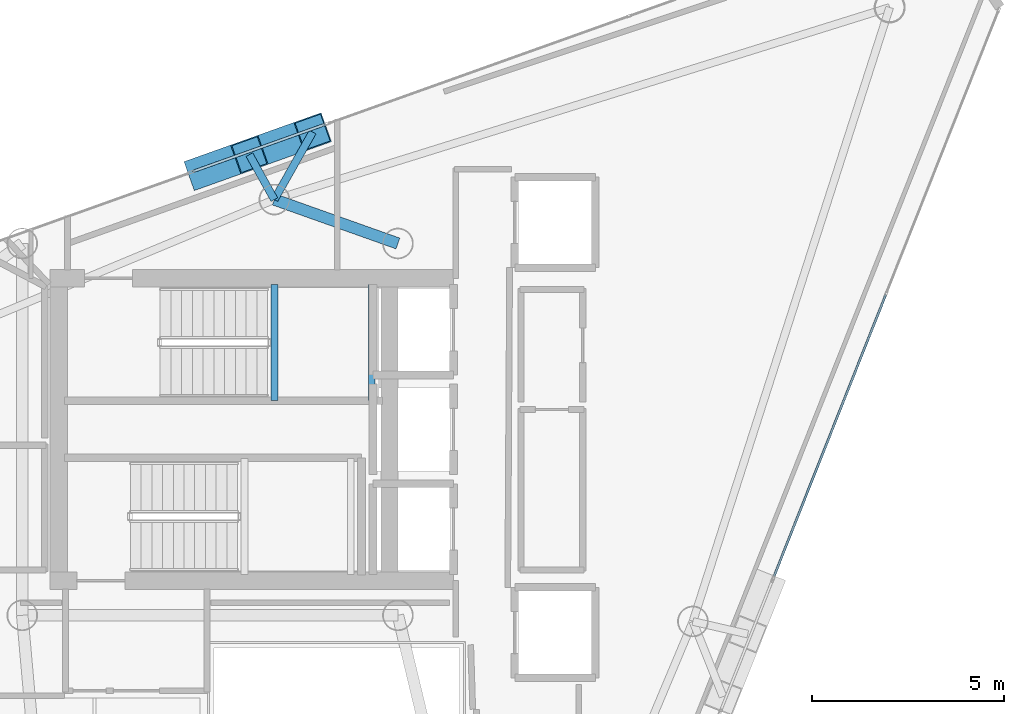
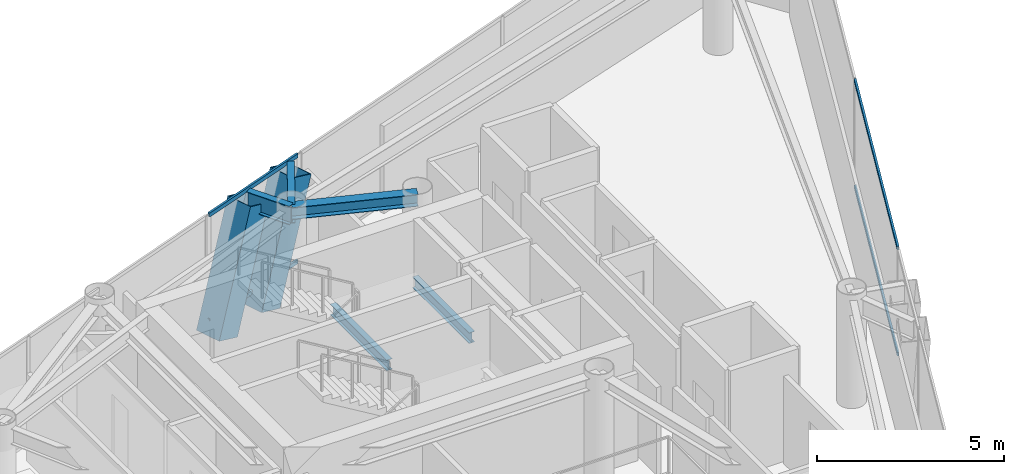
# One storey, part 11 of 18: 6 members, 5 beams, 2 elements without a shape of their own.
"""IFC4 building model written with IfcOpenShell, lengths in metres."""

from ifc_helpers import new_model, si_unit, direction, frame, origin, origin_2d, place, context, subcontext, project, spatial, hollow_rectangle, i_section, extrude, material, layer, layer_set, material_profile, profile_set, type_object, element, aggregate, save


model = new_model("IFC4")

# Units and contexts
model_context = context("Model", 3, precision=1e-05, world=origin(), true_north=direction((0.0, 1.0)))
body_context = subcontext(model_context, "Body", "Model", "MODEL_VIEW")
ifc_project = project(units=[si_unit("LENGTHUNIT", "METRE"), si_unit("AREAUNIT", "SQUARE_METRE"), si_unit("VOLUMEUNIT", "CUBIC_METRE"), si_unit("PLANEANGLEUNIT", "RADIAN"), si_unit("MASSUNIT", "GRAM", prefix="KILO")], contexts=[model_context])

# Site, building, storey
site_placement = place(None, origin())
site = spatial("IfcSite", under=ifc_project, at=site_placement, CompositionType="ELEMENT")
building_placement = place(site_placement, origin())
building = spatial("IfcBuilding", under=site, at=building_placement, Name="Qianvela Tower", CompositionType="ELEMENT")
storey_placement = place(building_placement, frame((0.0, 0.0, 337.0)))
storey = spatial("IfcBuildingStorey", under=building, at=storey_placement, Name="L87", CompositionType="ELEMENT", Elevation=337.0)

# Beams
ifc_material_1 = material(Name="Steel Q355B", Category="steel")
ifc_material_profile_1 = material_profile(ifc_material_1, i_section(OverallWidth=0.300048828125, OverallDepth=0.389892578125, WebThickness=0.010009765625, FlangeThickness=0.01611328125, at=origin_2d()), Name="HM390x300x10x16")
ifc_profile_set_1 = profile_set([ifc_material_profile_1], Name="Steel Q355B")
beam_type_1 = type_object("IfcBeamType", Name="BM-HM390-COLL", PredefinedType="BEAM", material=ifc_profile_set_1)
beam_1_placement = place(storey_placement, frame((38.39990234375, 33.550048828125, 3.322998046875), z_axis=(-0.942297777183, 0.334775893871, 0.0), x_axis=(-0.334775893871, -0.942297777183, 0.0)))
element("IfcBeam", 1, at=beam_1_placement, inside=storey, type_object=beam_type_1, Name="L87 Radial Primary Floor Girder 2", PredefinedType="BEAM", context=body_context, shape_type="SweptSolid", body=[
    extrude(i_section(OverallWidth=0.300048828125, OverallDepth=0.389892578125, WebThickness=0.010009765625, FlangeThickness=0.01611328125, at=origin_2d()), origin(), (0.0, 0.0, 1.0), 3.420166015625),
])
ifc_material_2 = material(Name="Steel Q355B", Category="steel")
ifc_material_profile_2 = material_profile(ifc_material_2, i_section(OverallWidth=0.175048828125, OverallDepth=0.35009765625, WebThickness=0.007080078125, FlangeThickness=0.010986328125, at=origin_2d()), Name="HN350x175x7x11")
ifc_profile_set_2 = profile_set([ifc_material_profile_2], Name="Steel Q355B")
beam_type_2 = type_object("IfcBeamType", Name="BM-HN350-JOIST", PredefinedType="JOIST", material=ifc_profile_set_2)
for number, where, z_axis, x_axis, name in (
    (2, (35.179931640625, 29.4599609375, 1.47509765625), (0.0, 1.0, 0.0), (-1.0, 0.0, 0.0), "L87 Stair ST-1 Landing Support Beam 1.1"),
    (3, (37.719970703125, 29.4599609375, 1.47509765625), (0.0, 1.0, 0.0), (-1.0, 0.0, 0.0), "L87 Stair ST-1 Landing Support Beam 1.2"),
):
    element("IfcBeam", number, at=place(storey_placement, frame(where, z_axis=z_axis, x_axis=x_axis)), inside=storey, type_object=beam_type_2, Name=name, PredefinedType="JOIST", context=body_context, shape_type="SweptSolid", body=[
        extrude(i_section(OverallWidth=0.175048828125, OverallDepth=0.35009765625, WebThickness=0.007080078125, FlangeThickness=0.010986328125, at=origin_2d()), origin(), (0.0, 0.0, 1.0), 3.02001953125),
    ])
ifc_material_3 = material(Name="Steel Q355B", Category="steel")
ifc_material_profile_3 = material_profile(ifc_material_3, i_section(OverallWidth=0.199951171875, OverallDepth=0.60009765625, WebThickness=0.010986328125, FlangeThickness=0.01708984375, at=origin_2d()), Name="HN600x200x11x17")
ifc_profile_set_3 = profile_set([ifc_material_profile_3], Name="Steel Q355B")
beam_type_3 = type_object("IfcBeamType", Name="BM-HN600-GIRD", PredefinedType="BEAM", material=ifc_profile_set_3)
beam_2_placement = place(storey_placement, frame((35.177001953125, 34.695068359375, 3.218017578125), z_axis=(0.493149467052, 0.869944597745, 0.0), x_axis=(-0.869944597745, 0.493149467052, 0.0)))
element("IfcBeam", 4, at=beam_2_placement, inside=storey, type_object=beam_type_3, Name="L87 Mega-Brace Column Tie Bracket F1-1", PredefinedType="BEAM", context=body_context, shape_type="SweptSolid", body=[
    extrude(i_section(OverallWidth=0.199951171875, OverallDepth=0.60009765625, WebThickness=0.010986328125, FlangeThickness=0.01708984375, at=origin_2d()), origin(), (0.0, 0.0, 1.0), 2.02490234375),
])
beam_3_placement = place(storey_placement, frame((35.177001953125, 34.695068359375, 3.218017578125), z_axis=(-0.486168289701, 0.873865203615, 0.0), x_axis=(-0.873865203615, -0.486168289701, 0.0)))
element("IfcBeam", 5, at=beam_3_placement, inside=storey, type_object=beam_type_3, Name="L87 Mega-Brace Column Tie Bracket F1-2", PredefinedType="BEAM", context=body_context, shape_type="SweptSolid", body=[
    extrude(i_section(OverallWidth=0.199951171875, OverallDepth=0.60009765625, WebThickness=0.010986328125, FlangeThickness=0.01708984375, at=origin_2d()), origin(), (0.0, 0.0, 1.0), 1.34130859375),
])

# Curtain wall, members
ifc_material_4 = material(Name="Anodised Architectural Aluminium and Insulated Spandrel Panel", Category="aluminium")
ifc_layer_1 = layer(ifc_material_4, 0.179931640625)
ifc_layer_set_1 = layer_set([ifc_layer_1], Name="Anodised Architectural Aluminium and Insulated Spandrel Panel")
curtain_wall_type_1 = type_object("IfcCurtainWallType", Name="CW-BRACEBAY", PredefinedType="USERDEFINED", material=ifc_layer_set_1)
curtain_wall_1_placement = place(storey_placement, origin())
curtain_wall_1 = element("IfcCurtainWall", 6, at=curtain_wall_1_placement, inside=storey, type_object=curtain_wall_type_1, Name="L87 CW-BRACEBAY Curtain Wall 02B", ObjectType="CURTAIN_WALL_SYSTEM", PredefinedType="USERDEFINED")
ifc_material_5 = material(Name="Anodised Architectural Aluminium 6063-T6", Category="aluminium")
ifc_material_profile_4 = material_profile(ifc_material_5, hollow_rectangle(XDim=0.06494140625, YDim=0.1298828125, WallThickness=0.00439453125, at=origin_2d()), Name="ALU-TRAN-65x130")
ifc_profile_set_4 = profile_set([ifc_material_profile_4], Name="Anodised Architectural Aluminium 6063-T6")
member_type_1 = type_object("IfcMemberType", Name="CW-BRACEBAY-TRAN", PredefinedType="USERDEFINED", material=ifc_profile_set_4)
member_1_placement = place(storey_placement, frame((36.4921875, 36.654541015625, 0.032470703125), z_axis=(-0.941775199374, -0.336243176651, 0.0), x_axis=(0.336243176651, -0.941775199374, 0.0)))
member_1 = element("IfcMember", 7, at=member_1_placement, type_object=member_type_1, Name="CW-9 transom 1.1", ObjectType="TRANSOM", PredefinedType="USERDEFINED", context=body_context, shape_type="SweptSolid", body=[
    extrude(hollow_rectangle(XDim=0.06494140625, YDim=0.1298828125, WallThickness=0.00439453125, at=origin_2d()), origin(), (0.0, 0.0, 1.0), 3.64990234375),
])
member_2_placement = place(storey_placement, frame((36.4921875, 36.654541015625, 3.487548828125), z_axis=(-0.941775199374, -0.336243176651, 0.0), x_axis=(0.336243176651, -0.941775199374, 0.0)))
member_2 = element("IfcMember", 8, at=member_2_placement, type_object=member_type_1, Name="CW-9 transom 1.2", ObjectType="TRANSOM", PredefinedType="USERDEFINED", context=body_context, shape_type="SweptSolid", body=[
    extrude(hollow_rectangle(XDim=0.06494140625, YDim=0.1298828125, WallThickness=0.00439453125, at=origin_2d()), origin(), (0.0, 0.0, 1.0), 3.64990234375),
])
aggregate(curtain_wall_1, [member_1, member_2])

ifc_material_6 = material(Name="Anodised Architectural Aluminium and Low-E Glass", Category="aluminium")
ifc_layer_2 = layer(ifc_material_6, 0.14990234375)
ifc_layer_set_2 = layer_set([ifc_layer_2], Name="Anodised Architectural Aluminium and Low-E Glass")
curtain_wall_type_2 = type_object("IfcCurtainWallType", Name="CW-COLIV-Z78", PredefinedType="USERDEFINED", material=ifc_layer_set_2)
curtain_wall_2_placement = place(storey_placement, origin())
curtain_wall_2 = element("IfcCurtainWall", 9, at=curtain_wall_2_placement, inside=storey, type_object=curtain_wall_type_2, Name="L87 CW-COLIV-Z78 Curtain Wall 06C", ObjectType="CURTAIN_WALL_SYSTEM", PredefinedType="USERDEFINED")
ifc_material_7 = material(Name="Anodised Architectural Aluminium 6063-T6", Category="aluminium")
ifc_material_profile_5 = material_profile(ifc_material_7, hollow_rectangle(XDim=0.06005859375, YDim=0.114990234375, WallThickness=0.00390625, at=origin_2d()), Name="ALU-TRAN-60x115")
ifc_profile_set_5 = profile_set([ifc_material_profile_5], Name="Anodised Architectural Aluminium 6063-T6")
member_type_2 = type_object("IfcMemberType", Name="CW-COLIV-Z78-TRAN", PredefinedType="USERDEFINED", material=ifc_profile_set_5)
member_3_placement = place(storey_placement, frame((48.2138671875, 24.87548828125, 0.030029296875), z_axis=(0.368883682868, 0.929475566389, 0.0), x_axis=(-0.929475566389, 0.368883682868, 0.0)))
member_3 = element("IfcMember", 10, at=member_3_placement, type_object=member_type_2, Name="CW-6 transom 1.1", ObjectType="TRANSOM", PredefinedType="USERDEFINED", context=body_context, shape_type="SweptSolid", body=[
    extrude(hollow_rectangle(XDim=0.06005859375, YDim=0.114990234375, WallThickness=0.00390625, at=origin_2d()), origin(), (0.0, 0.0, 1.0), 7.895751953125),
])
member_4_placement = place(storey_placement, frame((48.2138671875, 24.87548828125, 3.489990234375), z_axis=(0.368883682868, 0.929475566389, 0.0), x_axis=(-0.929475566389, 0.368883682868, 0.0)))
member_4 = element("IfcMember", 11, at=member_4_placement, type_object=member_type_2, Name="CW-6 transom 1.2", ObjectType="TRANSOM", PredefinedType="USERDEFINED", context=body_context, shape_type="SweptSolid", body=[
    extrude(hollow_rectangle(XDim=0.06005859375, YDim=0.114990234375, WallThickness=0.00390625, at=origin_2d()), origin(), (0.0, 0.0, 1.0), 7.895751953125),
])
aggregate(curtain_wall_2, [member_3, member_4])

# Members
ifc_material_8 = material(Name="Steel Q420GJC", Category="steel")
ifc_material_profile_6 = material_profile(ifc_material_8, hollow_rectangle(XDim=0.800048828125, YDim=0.800048828125, WallThickness=0.028076171875, at=origin_2d()), Name="MBOX-800x800x28")
ifc_profile_set_6 = profile_set([ifc_material_profile_6], Name="Steel Q420GJC")
member_type_3 = type_object("IfcMemberType", Name="MBR-MBRACE-800", PredefinedType="BRACE", material=ifc_profile_set_6)
member_5_placement = place(storey_placement, frame((34.960693359375, 36.022705078125, -0.48193359375), z_axis=(0.310037272756, 0.110718696481, 0.944255399641), x_axis=(-0.336312418432, 0.941750475024, 0.0)))
element("IfcMember", 12, at=member_5_placement, inside=storey, type_object=member_type_3, Name="L87 Tier 14 Exterior Mega-Brace F1A", PredefinedType="BRACE", context=body_context, shape_type="SweptSolid", body=[
    extrude(hollow_rectangle(XDim=0.800048828125, YDim=0.800048828125, WallThickness=0.028076171875, at=origin_2d()), origin(), (0.0, 0.0, 1.0), 3.91845703125),
])
member_6_placement = place(storey_placement, frame((33.310302734375, 35.43359375, -0.48193359375), z_axis=(0.309983091601, 0.11065929059, 0.9442801514), x_axis=(-0.336204480278, 0.941789014292, 0.0)))
element("IfcMember", 13, at=member_6_placement, inside=storey, type_object=member_type_3, Name="L87 Tier 14 Exterior Mega-Brace F1B", PredefinedType="BRACE", context=body_context, shape_type="SweptSolid", body=[
    extrude(hollow_rectangle(XDim=0.800048828125, YDim=0.800048828125, WallThickness=0.028076171875, at=origin_2d()), origin(), (0.0, 0.0, 1.0), 3.918212890625),
])

save(model, "model.ifc")
